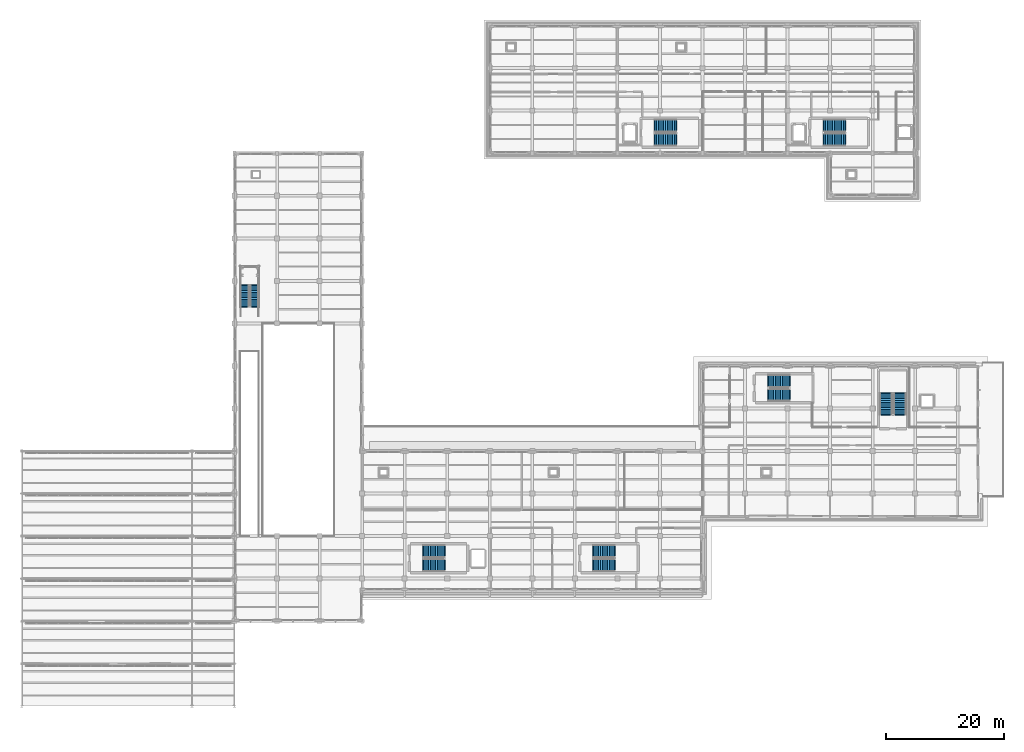
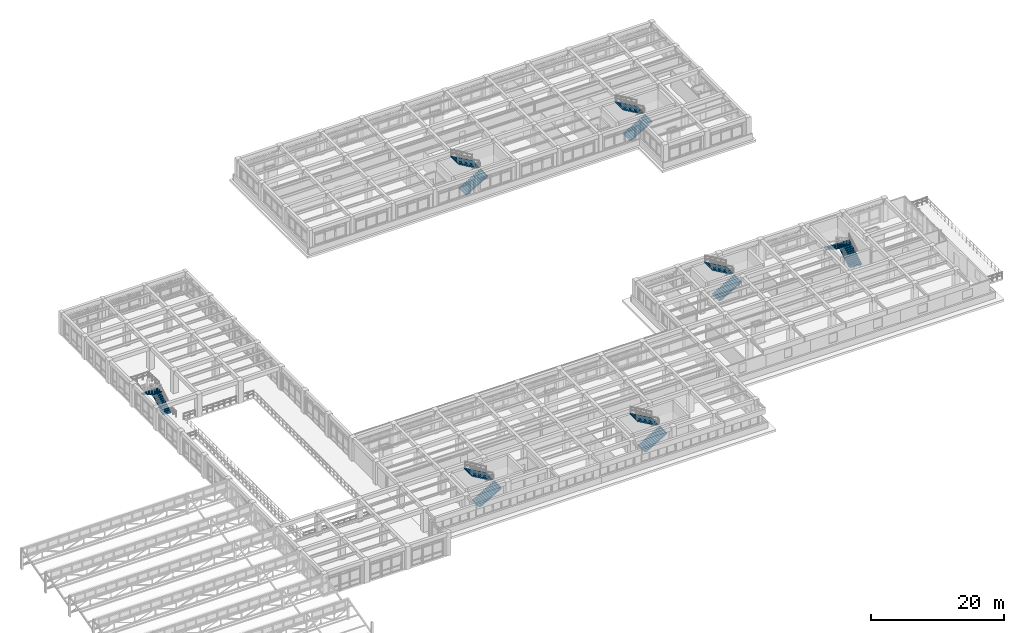
# One storey, part 89 of 98: 14 stair flights, 7 elements without a shape of their own.
"""IFC4 building model written with IfcOpenShell, lengths in metres."""

from ifc_helpers import new_model, si_unit, direction, frame, origin, place, context, subcontext, project, spatial, polyline, outline, extrude, material, type_object, element, aggregate, save


model = new_model("IFC4")

# Units and contexts
model_context = context("Model", 3, precision=1e-05, world=origin(), true_north=direction((0.0, 1.0)))
body_context = subcontext(model_context, "Body", "Model", "MODEL_VIEW")
ifc_project = project(units=[si_unit("LENGTHUNIT", "METRE"), si_unit("AREAUNIT", "SQUARE_METRE"), si_unit("VOLUMEUNIT", "CUBIC_METRE"), si_unit("PLANEANGLEUNIT", "RADIAN"), si_unit("MASSUNIT", "GRAM", prefix="KILO")], contexts=[model_context])

# Site, building, storey
site_placement = place(None, origin())
site = spatial("IfcSite", under=ifc_project, at=site_placement, CompositionType="ELEMENT")
building_placement = place(site_placement, origin())
building = spatial("IfcBuilding", under=site, at=building_placement, Name="Solenvale Faculty of Natural Sciences", CompositionType="ELEMENT")
storey_placement = place(building_placement, frame((0.0, 0.0, 9.0)))
storey = spatial("IfcBuildingStorey", under=building, at=storey_placement, Name="L02", CompositionType="ELEMENT", Elevation=9.0)

# Stair, stair flights
ifc_material_1 = material(Name="Concrete 40 MPa", Category="concrete")
stair_type_1 = type_object("IfcStairType", Name="STR-CORE-25R", PredefinedType="DOUBLE_RETURN_STAIR", material=ifc_material_1)
stair_1_placement = place(storey_placement, origin())
stair_1 = element("IfcStair", 1, at=stair_1_placement, inside=storey, type_object=stair_type_1, Name="L02 Protected Exit Stair ST-02", PredefinedType="DOUBLE_RETURN_STAIR")
stair_flight_type_1 = type_object("IfcStairFlightType", Name="SFL-RC-25R", PredefinedType="STRAIGHT", material=ifc_material_1)
stair_flight_1_placement = place(storey_placement, frame((148.625, 49.340087890625, 0.0), z_axis=(0.0, 0.0, 1.0), x_axis=(0.0, 1.0, 0.0)))
stair_flight_1 = element("IfcStairFlight", 2, at=stair_flight_1_placement, type_object=stair_flight_type_1, Name="ST-02 flight 1", NumberOfRisers=13, NumberOfTreads=12, PredefinedType="STRAIGHT", RiserHeight=0.173076923, TreadLength=0.3, context=body_context, shape_type="SweptSolid", body=[
    extrude(outline(polyline([(-0.159912109375, 0.0), (0.0, 0.173095703125), (0.300048828125, 0.173095703125), (0.300048828125, 0.34619140625), (0.60009765625, 0.34619140625), (0.60009765625, 0.519287109375), (0.89990234375, 0.519287109375), (0.89990234375, 0.6923828125), (1.199951171875, 0.6923828125), (1.199951171875, 0.865478515625), (1.5, 0.865478515625), (1.5, 1.03857421875), (1.800048828125, 1.03857421875), (1.800048828125, 1.21142578125), (2.10009765625, 1.21142578125), (2.10009765625, 1.384521484375), (2.39990234375, 1.384521484375), (2.39990234375, 1.5576171875), (2.699951171875, 1.5576171875), (2.699951171875, 1.730712890625), (3.0, 1.730712890625), (3.0, 1.90380859375), (3.300048828125, 1.90380859375), (3.300048828125, 2.076904296875), (3.60009765625, 2.076904296875), (3.60009765625, 2.25), (3.760009765625, 2.25), (3.760009765625, 2.10009765625), (3.60009765625, 1.90380859375), (0.300048828125, 0.0), (-0.159912109375, 0.0)])), frame((0.0, 1.074951171875, 0.0), z_axis=(0.0, -1.0, 0.0), x_axis=(1.0, 0.0, 0.0)), (0.0, 0.0, 1.0), 2.14990234375),
])
stair_flight_2_placement = place(storey_placement, frame((146.27490234375, 52.93994140625, 2.25), z_axis=(0.0, 0.0, 1.0), x_axis=(0.0, -1.0, 0.0)))
stair_flight_2 = element("IfcStairFlight", 3, at=stair_flight_2_placement, type_object=stair_flight_type_1, Name="ST-02 flight 2", NumberOfRisers=13, NumberOfTreads=12, PredefinedType="STRAIGHT", RiserHeight=0.173076923, TreadLength=0.3, context=body_context, shape_type="SweptSolid", body=[
    extrude(outline(polyline([(-0.159912109375, 0.0), (0.0, 0.173095703125), (0.300048828125, 0.173095703125), (0.300048828125, 0.34619140625), (0.60009765625, 0.34619140625), (0.60009765625, 0.519287109375), (0.89990234375, 0.519287109375), (0.89990234375, 0.6923828125), (1.199951171875, 0.6923828125), (1.199951171875, 0.865478515625), (1.5, 0.865478515625), (1.5, 1.03857421875), (1.800048828125, 1.03857421875), (1.800048828125, 1.21142578125), (2.10009765625, 1.21142578125), (2.10009765625, 1.384521484375), (2.39990234375, 1.384521484375), (2.39990234375, 1.5576171875), (2.699951171875, 1.5576171875), (2.699951171875, 1.730712890625), (3.0, 1.730712890625), (3.0, 1.90380859375), (3.300048828125, 1.90380859375), (3.300048828125, 2.076904296875), (3.60009765625, 2.076904296875), (3.60009765625, 2.25), (3.760009765625, 2.25), (3.760009765625, 2.10009765625), (3.60009765625, 1.90380859375), (0.300048828125, 0.0), (-0.159912109375, 0.0)])), frame((0.0, 1.074951171875, 0.0), z_axis=(0.0, -1.0, 0.0), x_axis=(1.0, 0.0, 0.0)), (0.0, 0.0, 1.0), 2.14990234375),
])
aggregate(stair_1, [stair_flight_1, stair_flight_2])

stair_2_placement = place(storey_placement, origin())
stair_2 = element("IfcStair", 4, at=stair_2_placement, inside=storey, type_object=stair_type_1, Name="L02 Protected Exit Stair ST-08", PredefinedType="DOUBLE_RETURN_STAIR")
stair_flight_3_placement = place(storey_placement, frame((126.340087890625, 52.675048828125, 0.0), z_axis=(0.0, 0.0, 1.0), x_axis=(1.0, 0.0, 0.0)))
stair_flight_3 = element("IfcStairFlight", 5, at=stair_flight_3_placement, type_object=stair_flight_type_1, Name="ST-08 flight 1", NumberOfRisers=13, NumberOfTreads=12, PredefinedType="STRAIGHT", RiserHeight=0.173076923, TreadLength=0.3, context=body_context, shape_type="SweptSolid", body=[
    extrude(outline(polyline([(-0.159912109375, 0.0), (0.0, 0.173095703125), (0.300048828125, 0.173095703125), (0.300048828125, 0.34619140625), (0.60009765625, 0.34619140625), (0.60009765625, 0.519287109375), (0.89990234375, 0.519287109375), (0.89990234375, 0.6923828125), (1.199951171875, 0.6923828125), (1.199951171875, 0.865478515625), (1.5, 0.865478515625), (1.5, 1.03857421875), (1.800048828125, 1.03857421875), (1.800048828125, 1.21142578125), (2.10009765625, 1.21142578125), (2.10009765625, 1.384521484375), (2.39990234375, 1.384521484375), (2.39990234375, 1.5576171875), (2.699951171875, 1.5576171875), (2.699951171875, 1.730712890625), (3.0, 1.730712890625), (3.0, 1.90380859375), (3.300048828125, 1.90380859375), (3.300048828125, 2.076904296875), (3.60009765625, 2.076904296875), (3.60009765625, 2.25), (3.760009765625, 2.25), (3.760009765625, 2.10009765625), (3.60009765625, 1.90380859375), (0.300048828125, 0.0), (-0.159912109375, 0.0)])), frame((0.0, 1.074951171875, 0.0), z_axis=(0.0, -1.0, 0.0), x_axis=(1.0, 0.0, 0.0)), (0.0, 0.0, 1.0), 2.14990234375),
])
stair_flight_4_placement = place(storey_placement, frame((129.93994140625, 55.02490234375, 2.25), z_axis=(0.0, 0.0, 1.0), x_axis=(-1.0, 0.0, 0.0)))
stair_flight_4 = element("IfcStairFlight", 6, at=stair_flight_4_placement, type_object=stair_flight_type_1, Name="ST-08 flight 2", NumberOfRisers=13, NumberOfTreads=12, PredefinedType="STRAIGHT", RiserHeight=0.173076923, TreadLength=0.3, context=body_context, shape_type="SweptSolid", body=[
    extrude(outline(polyline([(-0.159912109375, 0.0), (0.0, 0.173095703125), (0.300048828125, 0.173095703125), (0.300048828125, 0.34619140625), (0.60009765625, 0.34619140625), (0.60009765625, 0.519287109375), (0.89990234375, 0.519287109375), (0.89990234375, 0.6923828125), (1.199951171875, 0.6923828125), (1.199951171875, 0.865478515625), (1.5, 0.865478515625), (1.5, 1.03857421875), (1.800048828125, 1.03857421875), (1.800048828125, 1.21142578125), (2.10009765625, 1.21142578125), (2.10009765625, 1.384521484375), (2.39990234375, 1.384521484375), (2.39990234375, 1.5576171875), (2.699951171875, 1.5576171875), (2.699951171875, 1.730712890625), (3.0, 1.730712890625), (3.0, 1.90380859375), (3.300048828125, 1.90380859375), (3.300048828125, 2.076904296875), (3.60009765625, 2.076904296875), (3.60009765625, 2.25), (3.760009765625, 2.25), (3.760009765625, 2.10009765625), (3.60009765625, 1.90380859375), (0.300048828125, 0.0), (-0.159912109375, 0.0)])), frame((0.0, 1.074951171875, 0.0), z_axis=(0.0, -1.0, 0.0), x_axis=(1.0, 0.0, 0.0)), (0.0, 0.0, 1.0), 2.14990234375),
])
aggregate(stair_2, [stair_flight_3, stair_flight_4])

stair_3_placement = place(storey_placement, origin())
stair_3 = element("IfcStair", 7, at=stair_3_placement, inside=storey, type_object=stair_type_1, Name="L02 Protected Exit Stair ST-03", PredefinedType="DOUBLE_RETURN_STAIR")
stair_flight_5_placement = place(storey_placement, frame((67.93994140625, 23.875, 0.0), z_axis=(0.0, 0.0, 1.0), x_axis=(1.0, 0.0, 0.0)))
stair_flight_5 = element("IfcStairFlight", 8, at=stair_flight_5_placement, type_object=stair_flight_type_1, Name="ST-03 flight 1", NumberOfRisers=13, NumberOfTreads=12, PredefinedType="STRAIGHT", RiserHeight=0.173076923, TreadLength=0.3, context=body_context, shape_type="SweptSolid", body=[
    extrude(outline(polyline([(-0.159912109375, 0.0), (0.0, 0.173095703125), (0.300048828125, 0.173095703125), (0.300048828125, 0.34619140625), (0.60009765625, 0.34619140625), (0.60009765625, 0.519287109375), (0.89990234375, 0.519287109375), (0.89990234375, 0.6923828125), (1.199951171875, 0.6923828125), (1.199951171875, 0.865478515625), (1.5, 0.865478515625), (1.5, 1.03857421875), (1.800048828125, 1.03857421875), (1.800048828125, 1.21142578125), (2.10009765625, 1.21142578125), (2.10009765625, 1.384521484375), (2.39990234375, 1.384521484375), (2.39990234375, 1.5576171875), (2.699951171875, 1.5576171875), (2.699951171875, 1.730712890625), (3.0, 1.730712890625), (3.0, 1.90380859375), (3.300048828125, 1.90380859375), (3.300048828125, 2.076904296875), (3.60009765625, 2.076904296875), (3.60009765625, 2.25), (3.760009765625, 2.25), (3.760009765625, 2.10009765625), (3.60009765625, 1.90380859375), (0.300048828125, 0.0), (-0.159912109375, 0.0)])), frame((0.0, 1.074951171875, 0.0), z_axis=(0.0, -1.0, 0.0), x_axis=(1.0, 0.0, 0.0)), (0.0, 0.0, 1.0), 2.14990234375),
])
stair_flight_6_placement = place(storey_placement, frame((71.5400390625, 26.22509765625, 2.25), z_axis=(0.0, 0.0, 1.0), x_axis=(-1.0, 0.0, 0.0)))
stair_flight_6 = element("IfcStairFlight", 9, at=stair_flight_6_placement, type_object=stair_flight_type_1, Name="ST-03 flight 2", NumberOfRisers=13, NumberOfTreads=12, PredefinedType="STRAIGHT", RiserHeight=0.173076923, TreadLength=0.3, context=body_context, shape_type="SweptSolid", body=[
    extrude(outline(polyline([(-0.159912109375, 0.0), (0.0, 0.173095703125), (0.300048828125, 0.173095703125), (0.300048828125, 0.34619140625), (0.60009765625, 0.34619140625), (0.60009765625, 0.519287109375), (0.89990234375, 0.519287109375), (0.89990234375, 0.6923828125), (1.199951171875, 0.6923828125), (1.199951171875, 0.865478515625), (1.5, 0.865478515625), (1.5, 1.03857421875), (1.800048828125, 1.03857421875), (1.800048828125, 1.21142578125), (2.10009765625, 1.21142578125), (2.10009765625, 1.384521484375), (2.39990234375, 1.384521484375), (2.39990234375, 1.5576171875), (2.699951171875, 1.5576171875), (2.699951171875, 1.730712890625), (3.0, 1.730712890625), (3.0, 1.90380859375), (3.300048828125, 1.90380859375), (3.300048828125, 2.076904296875), (3.60009765625, 2.076904296875), (3.60009765625, 2.25), (3.760009765625, 2.25), (3.760009765625, 2.10009765625), (3.60009765625, 1.90380859375), (0.300048828125, 0.0), (-0.159912109375, 0.0)])), frame((0.0, 1.074951171875, 0.0), z_axis=(0.0, -1.0, 0.0), x_axis=(1.0, 0.0, 0.0)), (0.0, 0.0, 1.0), 2.14990234375),
])
aggregate(stair_3, [stair_flight_5, stair_flight_6])

stair_4_placement = place(storey_placement, origin())
stair_4 = element("IfcStair", 10, at=stair_4_placement, inside=storey, type_object=stair_type_1, Name="L02 Protected Exit Stair ST-07", PredefinedType="DOUBLE_RETURN_STAIR")
stair_flight_7_placement = place(storey_placement, frame((96.739990234375, 23.875, 0.0), z_axis=(0.0, 0.0, 1.0), x_axis=(1.0, 0.0, 0.0)))
stair_flight_7 = element("IfcStairFlight", 11, at=stair_flight_7_placement, type_object=stair_flight_type_1, Name="ST-07 flight 1", NumberOfRisers=13, NumberOfTreads=12, PredefinedType="STRAIGHT", RiserHeight=0.173076923, TreadLength=0.3, context=body_context, shape_type="SweptSolid", body=[
    extrude(outline(polyline([(-0.159912109375, 0.0), (0.0, 0.173095703125), (0.300048828125, 0.173095703125), (0.300048828125, 0.34619140625), (0.60009765625, 0.34619140625), (0.60009765625, 0.519287109375), (0.89990234375, 0.519287109375), (0.89990234375, 0.6923828125), (1.199951171875, 0.6923828125), (1.199951171875, 0.865478515625), (1.5, 0.865478515625), (1.5, 1.03857421875), (1.800048828125, 1.03857421875), (1.800048828125, 1.21142578125), (2.10009765625, 1.21142578125), (2.10009765625, 1.384521484375), (2.39990234375, 1.384521484375), (2.39990234375, 1.5576171875), (2.699951171875, 1.5576171875), (2.699951171875, 1.730712890625), (3.0, 1.730712890625), (3.0, 1.90380859375), (3.300048828125, 1.90380859375), (3.300048828125, 2.076904296875), (3.60009765625, 2.076904296875), (3.60009765625, 2.25), (3.760009765625, 2.25), (3.760009765625, 2.10009765625), (3.60009765625, 1.90380859375), (0.300048828125, 0.0), (-0.159912109375, 0.0)])), frame((0.0, 1.074951171875, 0.0), z_axis=(0.0, -1.0, 0.0), x_axis=(1.0, 0.0, 0.0)), (0.0, 0.0, 1.0), 2.14990234375),
])
stair_flight_8_placement = place(storey_placement, frame((100.340087890625, 26.22509765625, 2.25), z_axis=(0.0, 0.0, 1.0), x_axis=(-1.0, 0.0, 0.0)))
stair_flight_8 = element("IfcStairFlight", 12, at=stair_flight_8_placement, type_object=stair_flight_type_1, Name="ST-07 flight 2", NumberOfRisers=13, NumberOfTreads=12, PredefinedType="STRAIGHT", RiserHeight=0.173076923, TreadLength=0.3, context=body_context, shape_type="SweptSolid", body=[
    extrude(outline(polyline([(-0.159912109375, 0.0), (0.0, 0.173095703125), (0.300048828125, 0.173095703125), (0.300048828125, 0.34619140625), (0.60009765625, 0.34619140625), (0.60009765625, 0.519287109375), (0.89990234375, 0.519287109375), (0.89990234375, 0.6923828125), (1.199951171875, 0.6923828125), (1.199951171875, 0.865478515625), (1.5, 0.865478515625), (1.5, 1.03857421875), (1.800048828125, 1.03857421875), (1.800048828125, 1.21142578125), (2.10009765625, 1.21142578125), (2.10009765625, 1.384521484375), (2.39990234375, 1.384521484375), (2.39990234375, 1.5576171875), (2.699951171875, 1.5576171875), (2.699951171875, 1.730712890625), (3.0, 1.730712890625), (3.0, 1.90380859375), (3.300048828125, 1.90380859375), (3.300048828125, 2.076904296875), (3.60009765625, 2.076904296875), (3.60009765625, 2.25), (3.760009765625, 2.25), (3.760009765625, 2.10009765625), (3.60009765625, 1.90380859375), (0.300048828125, 0.0), (-0.159912109375, 0.0)])), frame((0.0, 1.074951171875, 0.0), z_axis=(0.0, -1.0, 0.0), x_axis=(1.0, 0.0, 0.0)), (0.0, 0.0, 1.0), 2.14990234375),
])
aggregate(stair_4, [stair_flight_7, stair_flight_8])

stair_5_placement = place(storey_placement, origin())
stair_5 = element("IfcStair", 13, at=stair_5_placement, inside=storey, type_object=stair_type_1, Name="L02 Protected Exit Stair ST-04", PredefinedType="DOUBLE_RETURN_STAIR")
stair_flight_9_placement = place(storey_placement, frame((107.139892578125, 95.875, 0.0), z_axis=(0.0, 0.0, 1.0), x_axis=(1.0, 0.0, 0.0)))
stair_flight_9 = element("IfcStairFlight", 14, at=stair_flight_9_placement, type_object=stair_flight_type_1, Name="ST-04 flight 1", NumberOfRisers=13, NumberOfTreads=12, PredefinedType="STRAIGHT", RiserHeight=0.173076923, TreadLength=0.3, context=body_context, shape_type="SweptSolid", body=[
    extrude(outline(polyline([(-0.159912109375, 0.0), (0.0, 0.173095703125), (0.300048828125, 0.173095703125), (0.300048828125, 0.34619140625), (0.60009765625, 0.34619140625), (0.60009765625, 0.519287109375), (0.89990234375, 0.519287109375), (0.89990234375, 0.6923828125), (1.199951171875, 0.6923828125), (1.199951171875, 0.865478515625), (1.5, 0.865478515625), (1.5, 1.03857421875), (1.800048828125, 1.03857421875), (1.800048828125, 1.21142578125), (2.10009765625, 1.21142578125), (2.10009765625, 1.384521484375), (2.39990234375, 1.384521484375), (2.39990234375, 1.5576171875), (2.699951171875, 1.5576171875), (2.699951171875, 1.730712890625), (3.0, 1.730712890625), (3.0, 1.90380859375), (3.300048828125, 1.90380859375), (3.300048828125, 2.076904296875), (3.60009765625, 2.076904296875), (3.60009765625, 2.25), (3.760009765625, 2.25), (3.760009765625, 2.10009765625), (3.60009765625, 1.90380859375), (0.300048828125, 0.0), (-0.159912109375, 0.0)])), frame((0.0, 1.074951171875, 0.0), z_axis=(0.0, -1.0, 0.0), x_axis=(1.0, 0.0, 0.0)), (0.0, 0.0, 1.0), 2.14990234375),
])
stair_flight_10_placement = place(storey_placement, frame((110.739990234375, 98.22509765625, 2.25), z_axis=(0.0, 0.0, 1.0), x_axis=(-1.0, 0.0, 0.0)))
stair_flight_10 = element("IfcStairFlight", 15, at=stair_flight_10_placement, type_object=stair_flight_type_1, Name="ST-04 flight 2", NumberOfRisers=13, NumberOfTreads=12, PredefinedType="STRAIGHT", RiserHeight=0.173076923, TreadLength=0.3, context=body_context, shape_type="SweptSolid", body=[
    extrude(outline(polyline([(-0.159912109375, 0.0), (0.0, 0.173095703125), (0.300048828125, 0.173095703125), (0.300048828125, 0.34619140625), (0.60009765625, 0.34619140625), (0.60009765625, 0.519287109375), (0.89990234375, 0.519287109375), (0.89990234375, 0.6923828125), (1.199951171875, 0.6923828125), (1.199951171875, 0.865478515625), (1.5, 0.865478515625), (1.5, 1.03857421875), (1.800048828125, 1.03857421875), (1.800048828125, 1.21142578125), (2.10009765625, 1.21142578125), (2.10009765625, 1.384521484375), (2.39990234375, 1.384521484375), (2.39990234375, 1.5576171875), (2.699951171875, 1.5576171875), (2.699951171875, 1.730712890625), (3.0, 1.730712890625), (3.0, 1.90380859375), (3.300048828125, 1.90380859375), (3.300048828125, 2.076904296875), (3.60009765625, 2.076904296875), (3.60009765625, 2.25), (3.760009765625, 2.25), (3.760009765625, 2.10009765625), (3.60009765625, 1.90380859375), (0.300048828125, 0.0), (-0.159912109375, 0.0)])), frame((0.0, 1.074951171875, 0.0), z_axis=(0.0, -1.0, 0.0), x_axis=(1.0, 0.0, 0.0)), (0.0, 0.0, 1.0), 2.14990234375),
])
aggregate(stair_5, [stair_flight_9, stair_flight_10])

stair_6_placement = place(storey_placement, origin())
stair_6 = element("IfcStair", 16, at=stair_6_placement, inside=storey, type_object=stair_type_1, Name="L02 Protected Exit Stair ST-05", PredefinedType="DOUBLE_RETURN_STAIR")
stair_flight_11_placement = place(storey_placement, frame((135.739990234375, 95.875, 0.0), z_axis=(0.0, 0.0, 1.0), x_axis=(1.0, 0.0, 0.0)))
stair_flight_11 = element("IfcStairFlight", 17, at=stair_flight_11_placement, type_object=stair_flight_type_1, Name="ST-05 flight 1", NumberOfRisers=13, NumberOfTreads=12, PredefinedType="STRAIGHT", RiserHeight=0.173076923, TreadLength=0.3, context=body_context, shape_type="SweptSolid", body=[
    extrude(outline(polyline([(-0.159912109375, 0.0), (0.0, 0.173095703125), (0.300048828125, 0.173095703125), (0.300048828125, 0.34619140625), (0.60009765625, 0.34619140625), (0.60009765625, 0.519287109375), (0.89990234375, 0.519287109375), (0.89990234375, 0.6923828125), (1.199951171875, 0.6923828125), (1.199951171875, 0.865478515625), (1.5, 0.865478515625), (1.5, 1.03857421875), (1.800048828125, 1.03857421875), (1.800048828125, 1.21142578125), (2.10009765625, 1.21142578125), (2.10009765625, 1.384521484375), (2.39990234375, 1.384521484375), (2.39990234375, 1.5576171875), (2.699951171875, 1.5576171875), (2.699951171875, 1.730712890625), (3.0, 1.730712890625), (3.0, 1.90380859375), (3.300048828125, 1.90380859375), (3.300048828125, 2.076904296875), (3.60009765625, 2.076904296875), (3.60009765625, 2.25), (3.760009765625, 2.25), (3.760009765625, 2.10009765625), (3.60009765625, 1.90380859375), (0.300048828125, 0.0), (-0.159912109375, 0.0)])), frame((0.0, 1.074951171875, 0.0), z_axis=(0.0, -1.0, 0.0), x_axis=(1.0, 0.0, 0.0)), (0.0, 0.0, 1.0), 2.14990234375),
])
stair_flight_12_placement = place(storey_placement, frame((139.340087890625, 98.22509765625, 2.25), z_axis=(0.0, 0.0, 1.0), x_axis=(-1.0, 0.0, 0.0)))
stair_flight_12 = element("IfcStairFlight", 18, at=stair_flight_12_placement, type_object=stair_flight_type_1, Name="ST-05 flight 2", NumberOfRisers=13, NumberOfTreads=12, PredefinedType="STRAIGHT", RiserHeight=0.173076923, TreadLength=0.3, context=body_context, shape_type="SweptSolid", body=[
    extrude(outline(polyline([(-0.159912109375, 0.0), (0.0, 0.173095703125), (0.300048828125, 0.173095703125), (0.300048828125, 0.34619140625), (0.60009765625, 0.34619140625), (0.60009765625, 0.519287109375), (0.89990234375, 0.519287109375), (0.89990234375, 0.6923828125), (1.199951171875, 0.6923828125), (1.199951171875, 0.865478515625), (1.5, 0.865478515625), (1.5, 1.03857421875), (1.800048828125, 1.03857421875), (1.800048828125, 1.21142578125), (2.10009765625, 1.21142578125), (2.10009765625, 1.384521484375), (2.39990234375, 1.384521484375), (2.39990234375, 1.5576171875), (2.699951171875, 1.5576171875), (2.699951171875, 1.730712890625), (3.0, 1.730712890625), (3.0, 1.90380859375), (3.300048828125, 1.90380859375), (3.300048828125, 2.076904296875), (3.60009765625, 2.076904296875), (3.60009765625, 2.25), (3.760009765625, 2.25), (3.760009765625, 2.10009765625), (3.60009765625, 1.90380859375), (0.300048828125, 0.0), (-0.159912109375, 0.0)])), frame((0.0, 1.074951171875, 0.0), z_axis=(0.0, -1.0, 0.0), x_axis=(1.0, 0.0, 0.0)), (0.0, 0.0, 1.0), 2.14990234375),
])
aggregate(stair_6, [stair_flight_11, stair_flight_12])

stair_type_2 = type_object("IfcStairType", Name="STR-FEAT-27R", PredefinedType="DOUBLE_RETURN_STAIR", material=ifc_material_1)
stair_7_placement = place(storey_placement, origin())
stair_7 = element("IfcStair", 19, at=stair_7_placement, inside=storey, type_object=stair_type_2, Name="L02 Atrium Feature Stair ST-06", PredefinedType="DOUBLE_RETURN_STAIR")
ifc_material_2 = material(Name="Steel S355", Category="steel")
stair_flight_type_2 = type_object("IfcStairFlightType", Name="SFL-STL-27R", PredefinedType="STRAIGHT", material=ifc_material_2)
stair_flight_13_placement = place(storey_placement, frame((39.375, 67.64990234375, 0.0), z_axis=(0.0, 0.0, 1.0), x_axis=(0.0, 1.0, 0.0)))
stair_flight_13 = element("IfcStairFlight", 20, at=stair_flight_13_placement, type_object=stair_flight_type_2, Name="ST-06 flight 1", NumberOfRisers=13, NumberOfTreads=12, PredefinedType="STRAIGHT", RiserHeight=0.173076923, TreadLength=0.3, context=body_context, shape_type="SweptSolid", body=[
    extrude(outline(polyline([(-0.159912109375, 0.0), (0.0, 0.173095703125), (0.300048828125, 0.173095703125), (0.300048828125, 0.34619140625), (0.60009765625, 0.34619140625), (0.60009765625, 0.519287109375), (0.89990234375, 0.519287109375), (0.89990234375, 0.6923828125), (1.199951171875, 0.6923828125), (1.199951171875, 0.865478515625), (1.5, 0.865478515625), (1.5, 1.03857421875), (1.800048828125, 1.03857421875), (1.800048828125, 1.21142578125), (2.10009765625, 1.21142578125), (2.10009765625, 1.384521484375), (2.39990234375, 1.384521484375), (2.39990234375, 1.5576171875), (2.699951171875, 1.5576171875), (2.699951171875, 1.730712890625), (3.0, 1.730712890625), (3.0, 1.90380859375), (3.300048828125, 1.90380859375), (3.300048828125, 2.076904296875), (3.60009765625, 2.076904296875), (3.60009765625, 2.25), (3.760009765625, 2.25), (3.760009765625, 2.10009765625), (3.60009765625, 1.90380859375), (0.300048828125, 0.0), (-0.159912109375, 0.0)])), frame((0.0, 0.72509765625, 0.0), z_axis=(0.0, -1.0, 0.0), x_axis=(1.0, 0.0, 0.0)), (0.0, 0.0, 1.0), 1.449951171875),
])
stair_flight_14_placement = place(storey_placement, frame((37.72509765625, 71.25, 2.25), z_axis=(0.0, 0.0, 1.0), x_axis=(0.0, -1.0, 0.0)))
stair_flight_14 = element("IfcStairFlight", 21, at=stair_flight_14_placement, type_object=stair_flight_type_2, Name="ST-06 flight 2", NumberOfRisers=13, NumberOfTreads=12, PredefinedType="STRAIGHT", RiserHeight=0.173076923, TreadLength=0.3, context=body_context, shape_type="SweptSolid", body=[
    extrude(outline(polyline([(-0.159912109375, 0.0), (0.0, 0.173095703125), (0.300048828125, 0.173095703125), (0.300048828125, 0.34619140625), (0.60009765625, 0.34619140625), (0.60009765625, 0.519287109375), (0.89990234375, 0.519287109375), (0.89990234375, 0.6923828125), (1.199951171875, 0.6923828125), (1.199951171875, 0.865478515625), (1.5, 0.865478515625), (1.5, 1.03857421875), (1.800048828125, 1.03857421875), (1.800048828125, 1.21142578125), (2.10009765625, 1.21142578125), (2.10009765625, 1.384521484375), (2.39990234375, 1.384521484375), (2.39990234375, 1.5576171875), (2.699951171875, 1.5576171875), (2.699951171875, 1.730712890625), (3.0, 1.730712890625), (3.0, 1.90380859375), (3.300048828125, 1.90380859375), (3.300048828125, 2.076904296875), (3.60009765625, 2.076904296875), (3.60009765625, 2.25), (3.760009765625, 2.25), (3.760009765625, 2.10009765625), (3.60009765625, 1.90380859375), (0.300048828125, 0.0), (-0.159912109375, 0.0)])), frame((0.0, 0.72509765625, 0.0), z_axis=(0.0, -1.0, 0.0), x_axis=(1.0, 0.0, 0.0)), (0.0, 0.0, 1.0), 1.449951171875),
])
aggregate(stair_7, [stair_flight_13, stair_flight_14])

save(model, "model.ifc")
